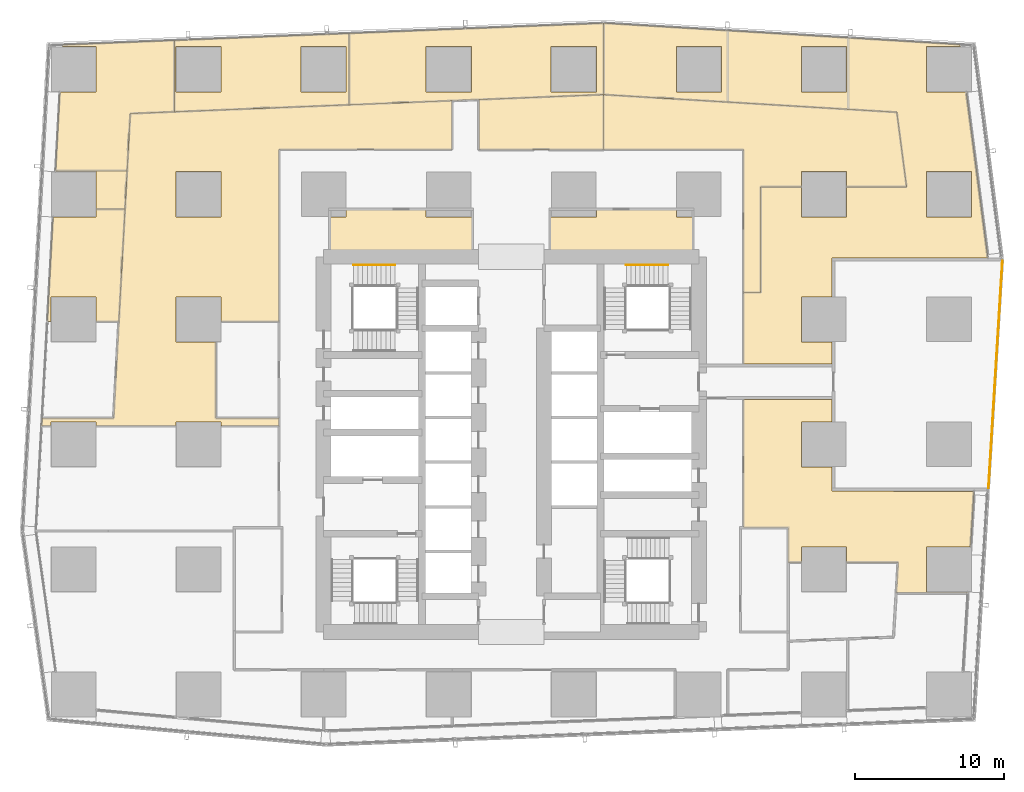
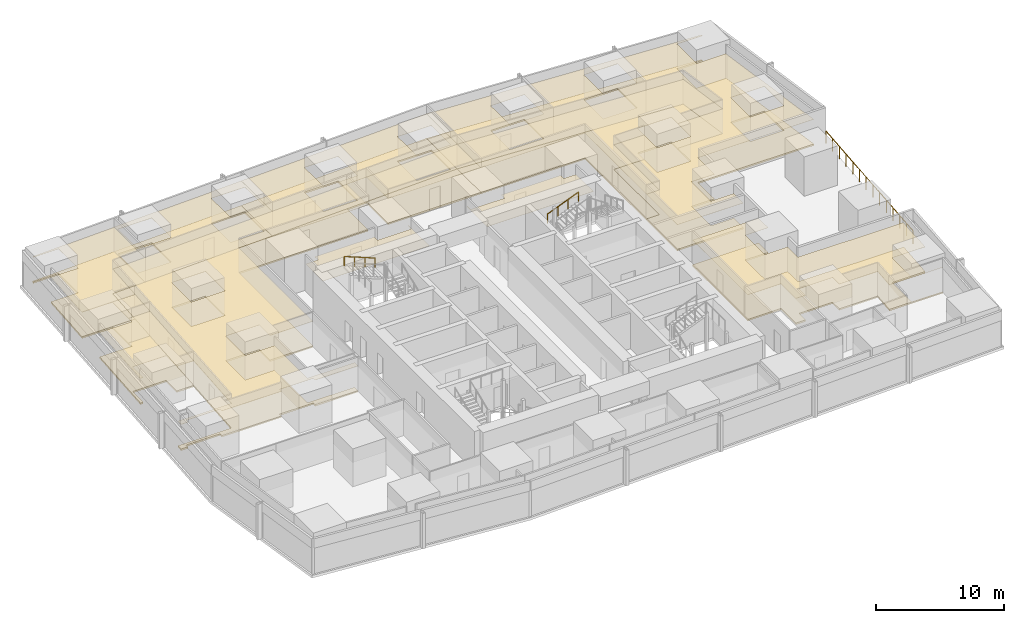
# One storey, part 38 of 38: 22 coverings, 3 railings.
"""IFC4 building model written with IfcOpenShell, lengths in metres."""

from ifc_helpers import new_model, si_unit, direction, frame, origin, origin_2d, place, context, subcontext, project, spatial, polyline, circle, outline, extrude, material, layer, layer_set, type_object, element, save


model = new_model("IFC4")

# Units and contexts
model_context = context("Model", 3, precision=1e-05, world=origin(), true_north=direction((0.0, 1.0)))
body_context = subcontext(model_context, "Body", "Model", "MODEL_VIEW")
ifc_project = project(units=[si_unit("LENGTHUNIT", "METRE"), si_unit("AREAUNIT", "SQUARE_METRE"), si_unit("VOLUMEUNIT", "CUBIC_METRE"), si_unit("PLANEANGLEUNIT", "RADIAN"), si_unit("MASSUNIT", "GRAM", prefix="KILO")], contexts=[model_context])

# Site, building, storey
site_placement = place(None, origin())
site = spatial("IfcSite", under=ifc_project, at=site_placement, CompositionType="ELEMENT")
building_placement = place(site_placement, origin())
building = spatial("IfcBuilding", under=site, at=building_placement, Name="Rekha Terrace Tower", CompositionType="ELEMENT")
storey_placement = place(building_placement, frame((0.0, 0.0, 159.050048828125)))
storey = spatial("IfcBuildingStorey", under=building, at=storey_placement, Name="L40", CompositionType="ELEMENT", Elevation=159.050048828125)

# Coverings
ifc_material_1 = material(Name="Mineral fibre tile in exposed grid", Category="finish")
ifc_layer_1 = layer(ifc_material_1, 0.02001953125)
ifc_layer_set_1 = layer_set([ifc_layer_1], Name="Mineral fibre tile in exposed grid")
covering_type_1 = type_object("IfcCoveringType", Name="CL1 600x1200 office grid ceiling", PredefinedType="CEILING", material=ifc_layer_set_1)
covering_1_placement = place(storey_placement, frame((0.0, 0.0, 2.47998046875)))
element("IfcCovering", 1, at=covering_1_placement, inside=storey, type_object=covering_type_1, Name="Ceiling L40-02", PredefinedType="CEILING", context=body_context, shape_type="SweptSolid", body=[
    extrude(outline(polyline([(60.43408203125, 60.9150390625), (52.34912109375, 61.40087890625), (44.00390625, 61.902099609375), (44.00390625, 57.093017578125), (52.35009765625, 56.592041015625), (60.43505859375, 56.10595703125), (63.700927734375, 55.909912109375), (64.35302734375, 50.904052734375), (60.31494140625, 50.904052734375), (60.31494140625, 48.885009765625), (57.284912109375, 48.885009765625), (57.284912109375, 50.904052734375), (54.549072265625, 50.904052734375), (54.549072265625, 43.801025390625), (53.39990234375, 43.801025390625), (53.39990234375, 39.0009765625), (59.34912109375, 39.0009765625), (59.34912109375, 40.485107421875), (57.284912109375, 40.485107421875), (57.284912109375, 43.514892578125), (59.34912109375, 43.514892578125), (59.34912109375, 46.10400390625), (69.819091796875, 46.10400390625), (68.363037109375, 57.284912109375), (65.68505859375, 57.284912109375), (65.68505859375, 60.31494140625), (67.968017578125, 60.31494140625), (67.948974609375, 60.462890625), (60.43408203125, 60.9150390625)]), holes=[polyline([(68.715087890625, 48.885009765625), (65.68505859375, 48.885009765625), (65.68505859375, 51.9150390625), (68.715087890625, 51.9150390625), (68.715087890625, 48.885009765625)]), polyline([(60.31494140625, 57.284912109375), (57.284912109375, 57.284912109375), (57.284912109375, 60.31494140625), (60.31494140625, 60.31494140625), (60.31494140625, 57.284912109375)]), polyline([(51.9150390625, 57.284912109375), (48.885009765625, 57.284912109375), (48.885009765625, 60.31494140625), (51.9150390625, 60.31494140625), (51.9150390625, 57.284912109375)])]), origin(), (0.0, 0.0, 1.0), 0.02001953125),
])
covering_2_placement = place(storey_placement, frame((0.0, 0.0, 2.47998046875)))
element("IfcCovering", 2, at=covering_2_placement, inside=storey, type_object=covering_type_1, Name="Ceiling L40-O1", PredefinedType="CEILING", context=body_context, shape_type="SweptSolid", body=[
    extrude(outline(polyline([(52.34912109375, 56.592041015625), (44.0029296875, 57.093017578125), (44.0029296875, 53.39990234375), (53.39990234375, 53.39990234375), (53.39990234375, 43.801025390625), (54.549072265625, 43.801025390625), (54.549072265625, 50.904052734375), (57.284912109375, 50.904052734375), (57.284912109375, 51.9150390625), (60.31494140625, 51.9150390625), (60.31494140625, 50.904052734375), (64.35302734375, 50.904052734375), (63.700927734375, 55.909912109375), (60.43408203125, 56.10595703125), (52.34912109375, 56.592041015625)])), origin(), (0.0, 0.0, 1.0), 0.02001953125),
])
covering_3_placement = place(storey_placement, frame((0.0, 0.0, 2.47998046875)))
element("IfcCovering", 3, at=covering_3_placement, inside=storey, type_object=covering_type_1, Name="Ceiling L40-03", PredefinedType="CEILING", context=body_context, shape_type="SweptSolid", body=[
    extrude(outline(polyline([(15.166015625, 60.742919921875), (15.166015625, 55.93896484375), (26.906005859375, 56.409912109375), (26.906005859375, 61.212890625), (15.166015625, 60.742919921875)]), holes=[polyline([(26.715087890625, 57.284912109375), (23.68505859375, 57.284912109375), (23.68505859375, 60.31494140625), (26.715087890625, 60.31494140625), (26.715087890625, 57.284912109375)]), polyline([(18.31494140625, 57.284912109375), (15.284912109375, 57.284912109375), (15.284912109375, 60.31494140625), (18.31494140625, 60.31494140625), (18.31494140625, 57.284912109375)])]), origin(), (0.0, 0.0, 1.0), 0.02001953125),
])
covering_4_placement = place(storey_placement, frame((0.0, 0.0, 2.47998046875)))
element("IfcCovering", 4, at=covering_4_placement, inside=storey, type_object=covering_type_1, Name="Ceiling L40-04", PredefinedType="CEILING", context=body_context, shape_type="SweptSolid", body=[
    extrude(outline(polyline([(12.20703125, 55.821044921875), (15.1650390625, 55.93896484375), (15.1650390625, 60.742919921875), (7.653076171875, 60.44189453125), (7.64599609375, 60.31494140625), (9.9150390625, 60.31494140625), (9.9150390625, 57.284912109375), (7.47998046875, 57.284912109375), (7.18798828125, 51.9580078125), (11.9951171875, 51.9580078125), (12.20703125, 55.821044921875)])), origin(), (0.0, 0.0, 1.0), 0.02001953125),
])
covering_5_placement = place(storey_placement, frame((0.0, 0.0, 2.47998046875)))
element("IfcCovering", 5, at=covering_5_placement, inside=storey, type_object=covering_type_1, Name="Ceiling L40-05", PredefinedType="CEILING", context=body_context, shape_type="SweptSolid", body=[
    extrude(outline(polyline([(9.9150390625, 49.39892578125), (11.85498046875, 49.39892578125), (11.9951171875, 51.95703125), (7.18798828125, 51.95703125), (7.18603515625, 51.9150390625), (9.9150390625, 51.9150390625), (9.9150390625, 49.39892578125)])), origin(), (0.0, 0.0, 1.0), 0.02001953125),
])
covering_6_placement = place(storey_placement, frame((0.0, 0.0, 2.47998046875)))
element("IfcCovering", 6, at=covering_6_placement, inside=storey, type_object=covering_type_1, Name="Ceiling L40-06", PredefinedType="CEILING", context=body_context, shape_type="SweptSolid", body=[
    extrude(outline(polyline([(9.9150390625, 41.85498046875), (11.44091796875, 41.85498046875), (11.85498046875, 49.39794921875), (9.9150390625, 49.39794921875), (9.9150390625, 48.885009765625), (7.01904296875, 48.885009765625), (6.634033203125, 41.85498046875), (6.885009765625, 41.85498046875), (6.885009765625, 43.514892578125), (9.9150390625, 43.514892578125), (9.9150390625, 41.85498046875)])), origin(), (0.0, 0.0, 1.0), 0.02001953125),
])
covering_7_placement = place(storey_placement, frame((0.0, 0.0, 2.47998046875)))
element("IfcCovering", 7, at=covering_7_placement, inside=storey, type_object=covering_type_1, Name="Ceiling L40-O2", PredefinedType="CEILING", context=body_context, shape_type="SweptSolid", body=[
    extrude(outline(polyline([(11.85498046875, 49.39794921875), (11.44091796875, 41.85400390625), (11.0849609375, 35.360107421875), (6.278076171875, 35.360107421875), (6.2490234375, 34.833984375), (6.885009765625, 34.833984375), (6.885009765625, 35.114990234375), (9.9150390625, 35.114990234375), (9.9150390625, 34.833984375), (15.284912109375, 34.833984375), (15.284912109375, 35.114990234375), (18.31494140625, 35.114990234375), (18.31494140625, 34.833984375), (22.199951171875, 34.833984375), (22.199951171875, 35.360107421875), (17.949951171875, 35.360107421875), (17.949951171875, 40.485107421875), (15.284912109375, 40.485107421875), (15.284912109375, 43.514892578125), (18.31494140625, 43.514892578125), (18.31494140625, 41.85498046875), (22.199951171875, 41.85498046875), (22.199951171875, 53.39990234375), (33.825927734375, 53.39990234375), (33.825927734375, 56.68701171875), (26.89111328125, 56.408935546875), (15.14990234375, 55.93798828125), (12.20703125, 55.821044921875), (11.9951171875, 51.95703125), (11.85498046875, 49.39794921875)]), holes=[polyline([(18.31494140625, 48.885009765625), (15.284912109375, 48.885009765625), (15.284912109375, 51.9150390625), (18.31494140625, 51.9150390625), (18.31494140625, 48.885009765625)])]), origin(), (0.0, 0.0, 1.0), 0.02001953125),
])
covering_8_placement = place(storey_placement, frame((0.0, 0.0, 2.47998046875)))
element("IfcCovering", 8, at=covering_8_placement, inside=storey, type_object=covering_type_1, Name="Ceiling L40-13", PredefinedType="CEILING", context=body_context, shape_type="SweptSolid", body=[
    extrude(outline(polyline([(63.783935546875, 25.677001953125), (63.658935546875, 23.64208984375), (68.468017578125, 23.64208984375), (68.470947265625, 23.68505859375), (65.68505859375, 23.68505859375), (65.68505859375, 26.715087890625), (68.656005859375, 26.715087890625), (68.885009765625, 30.445068359375), (63.48388671875, 30.445068359375), (63.48388671875, 30.47705078125), (59.34912109375, 30.47705078125), (59.34912109375, 32.0849609375), (57.284912109375, 32.0849609375), (57.284912109375, 35.114990234375), (59.34912109375, 35.114990234375), (59.34912109375, 36.59912109375), (53.39990234375, 36.59912109375), (53.39990234375, 28.0), (56.39990234375, 28.0), (56.39990234375, 25.677001953125), (57.284912109375, 25.677001953125), (57.284912109375, 26.715087890625), (60.31494140625, 26.715087890625), (60.31494140625, 25.677001953125), (63.783935546875, 25.677001953125)])), origin(), (0.0, 0.0, 1.0), 0.02001953125),
])
covering_9_placement = place(storey_placement, frame((0.0, 0.0, 2.47998046875)))
element("IfcCovering", 9, at=covering_9_placement, inside=storey, type_object=covering_type_1, Name="Ceiling L40-18", PredefinedType="CEILING", context=body_context, shape_type="SweptSolid", body=[
    extrude(outline(polyline([(26.906982421875, 56.409912109375), (33.825927734375, 56.68701171875), (34.2041015625, 56.701904296875), (34.72607421875, 56.722900390625), (35.6259765625, 56.759033203125), (44.0029296875, 57.094970703125), (44.0029296875, 61.89892578125), (34.72607421875, 61.527099609375), (26.906982421875, 61.214111328125), (26.906982421875, 56.409912109375)]), holes=[polyline([(43.514892578125, 57.284912109375), (40.485107421875, 57.284912109375), (40.485107421875, 60.31494140625), (43.514892578125, 60.31494140625), (43.514892578125, 57.284912109375)]), polyline([(35.114990234375, 57.284912109375), (32.0849609375, 57.284912109375), (32.0849609375, 60.31494140625), (35.114990234375, 60.31494140625), (35.114990234375, 57.284912109375)])]), origin(), (0.0, 0.0, 1.0), 0.02001953125),
])
covering_10_placement = place(storey_placement, frame((0.0, 0.0, 2.47998046875)))
element("IfcCovering", 10, at=covering_10_placement, inside=storey, type_object=covering_type_1, Name="Ceiling L40-19", PredefinedType="CEILING", context=body_context, shape_type="SweptSolid", body=[
    extrude(outline(polyline([(35.6259765625, 53.39990234375), (44.0029296875, 53.39990234375), (44.0029296875, 57.094970703125), (35.6259765625, 56.759033203125), (35.6259765625, 53.39990234375)])), origin(), (0.0, 0.0, 1.0), 0.02001953125),
])
ifc_material_2 = material(Name="Fibre cement board", Category="finish")
ifc_layer_2 = layer(ifc_material_2, 0.014892578125)
ifc_layer_set_2 = layer_set([ifc_layer_2], Name="Fibre cement board")
covering_type_2 = type_object("IfcCoveringType", Name="CL2 moisture-resistant board ceiling", PredefinedType="CEILING", material=ifc_layer_set_2)
covering_11_placement = place(storey_placement, frame((0.0, 0.0, 2.48486328125)))
element("IfcCovering", 11, at=covering_11_placement, inside=storey, type_object=covering_type_2, Name="Ceiling L40-WCF", PredefinedType="CEILING", context=body_context, shape_type="SweptSolid", body=[
    extrude(outline(polyline([(40.485107421875, 49.39990234375), (40.39990234375, 49.39990234375), (40.39990234375, 46.199951171875), (50.0, 46.199951171875), (50.0, 48.885009765625), (48.885009765625, 48.885009765625), (48.885009765625, 49.39990234375), (43.514892578125, 49.39990234375), (43.514892578125, 48.885009765625), (40.485107421875, 48.885009765625), (40.485107421875, 49.39990234375)])), origin(), (0.0, 0.0, 1.0), 0.01513671875),
])
covering_12_placement = place(storey_placement, frame((0.0, 0.0, 2.48486328125)))
element("IfcCovering", 12, at=covering_12_placement, inside=storey, type_object=covering_type_2, Name="Ceiling L40-WCF2", PredefinedType="CEILING", context=body_context, shape_type="SweptSolid", body=[
    extrude(outline(polyline([(26.715087890625, 48.885009765625), (25.60009765625, 48.885009765625), (25.60009765625, 46.199951171875), (35.199951171875, 46.199951171875), (35.199951171875, 49.39990234375), (35.114990234375, 49.39990234375), (35.114990234375, 48.885009765625), (32.0849609375, 48.885009765625), (32.0849609375, 49.39990234375), (26.715087890625, 49.39990234375), (26.715087890625, 48.885009765625)])), origin(), (0.0, 0.0, 1.0), 0.01513671875),
])

# Railings
ifc_material_3 = material(Name="Steel guard with vertical balusters", Category="steel")
railing_type_1 = type_object("IfcRailingType", Name="GR2 refuge area guard 1200", PredefinedType="GUARDRAIL", material=ifc_material_3)
railing_1_placement = place(storey_placement, frame((69.860107421875, 30.677978515625, 0.0)))
element("IfcRailing", 13, at=railing_1_placement, inside=storey, type_object=railing_type_1, Name="Refuge area guard L40", PredefinedType="GUARDRAIL", context=body_context, shape_type="SweptSolid", body=[
    extrude(circle(Radius=0.02392578125, at=origin_2d()), frame((0.0, 0.0, 1.17578125), z_axis=(0.061156598389, 0.998128183388, 0.0), x_axis=(-0.998128183388, 0.061156598389, 0.0)), (0.0, 0.0, 1.0), 15.253662109375),
    extrude(circle(Radius=0.02099609375, at=origin_2d()), origin(), (0.0, 0.0, 1.0), 1.15185546875),
    extrude(circle(Radius=0.02099609375, at=origin_2d()), frame((0.07177734375, 1.171142578125, 0.0)), (0.0, 0.0, 1.0), 1.15185546875),
    extrude(circle(Radius=0.02099609375, at=origin_2d()), frame((0.1435546875, 2.34228515625, 0.0)), (0.0, 0.0, 1.0), 1.15185546875),
    extrude(circle(Radius=0.02099609375, at=origin_2d()), frame((0.21533203125, 3.513427734375, 0.0)), (0.0, 0.0, 1.0), 1.15185546875),
    extrude(circle(Radius=0.02099609375, at=origin_2d()), frame((0.287109375, 4.6845703125, 0.0)), (0.0, 0.0, 1.0), 1.15185546875),
    extrude(circle(Radius=0.02099609375, at=origin_2d()), frame((0.35888671875, 5.855712890625, 0.0)), (0.0, 0.0, 1.0), 1.15185546875),
    extrude(circle(Radius=0.02099609375, at=origin_2d()), frame((0.4306640625, 7.02685546875, 0.0)), (0.0, 0.0, 1.0), 1.15185546875),
    extrude(circle(Radius=0.02099609375, at=origin_2d()), frame((0.502197265625, 8.1982421875, 0.0)), (0.0, 0.0, 1.0), 1.15185546875),
    extrude(circle(Radius=0.02099609375, at=origin_2d()), frame((0.573974609375, 9.369384765625, 0.0)), (0.0, 0.0, 1.0), 1.15185546875),
    extrude(circle(Radius=0.02099609375, at=origin_2d()), frame((0.645751953125, 10.54052734375, 0.0)), (0.0, 0.0, 1.0), 1.15185546875),
    extrude(circle(Radius=0.02099609375, at=origin_2d()), frame((0.717529296875, 11.711669921875, 0.0)), (0.0, 0.0, 1.0), 1.15185546875),
    extrude(circle(Radius=0.02099609375, at=origin_2d()), frame((0.789306640625, 12.8828125, 0.0)), (0.0, 0.0, 1.0), 1.15185546875),
    extrude(circle(Radius=0.02099609375, at=origin_2d()), frame((0.861083984375, 14.053955078125, 0.0)), (0.0, 0.0, 1.0), 1.15185546875),
    extrude(circle(Radius=0.02099609375, at=origin_2d()), frame((0.932861328125, 15.22509765625, 0.0)), (0.0, 0.0, 1.0), 1.15185546875),
])
ifc_material_4 = material(Name="Stainless steel tube", Category="steel")
railing_type_2 = type_object("IfcRailingType", Name="HR1 900 stair handrail", PredefinedType="HANDRAIL", material=ifc_material_4)
railing_2_placement = place(storey_placement, frame((45.52490234375, 45.639892578125, 1.375)))
element("IfcRailing", 14, at=railing_2_placement, inside=storey, type_object=railing_type_2, Name="Handrail ST2 L40 flight 2", PredefinedType="HANDRAIL", context=body_context, shape_type="SweptSolid", body=[
    extrude(circle(Radius=0.02392578125, at=origin_2d()), frame((0.0, 0.0, 0.8759765625), z_axis=(0.927443287984, 0.0, 0.373963831907), x_axis=(0.0, 1.0, 0.0)), (0.0, 0.0, 1.0), 3.00830078125),
    extrude(circle(Radius=0.02099609375, at=origin_2d()), origin(), (0.0, 0.0, 1.0), 0.851806640625),
    extrude(circle(Radius=0.02099609375, at=origin_2d()), frame((0.929931640625, 0.0, 0.375)), (0.0, 0.0, 1.0), 0.851806640625),
    extrude(circle(Radius=0.02099609375, at=origin_2d()), frame((1.860107421875, 0.0, 0.75)), (0.0, 0.0, 1.0), 0.851806640625),
    extrude(circle(Radius=0.02099609375, at=origin_2d()), frame((2.7900390625, 0.0, 1.125)), (0.0, 0.0, 1.0), 0.851806640625),
])
railing_3_placement = place(storey_placement, frame((29.989990234375, 45.639892578125, 2.625)))
element("IfcRailing", 15, at=railing_3_placement, inside=storey, type_object=railing_type_2, Name="Handrail ST4 L40 flight 3", PredefinedType="HANDRAIL", context=body_context, shape_type="SweptSolid", body=[
    extrude(circle(Radius=0.02392578125, at=origin_2d()), frame((0.0, 0.0, 0.8759765625), z_axis=(-0.927443287984, 0.0, 0.373963831907), x_axis=(0.0, -1.0, 0.0)), (0.0, 0.0, 1.0), 3.00830078125),
    extrude(circle(Radius=0.02099609375, at=origin_2d()), origin(), (0.0, 0.0, 1.0), 0.851806640625),
    extrude(circle(Radius=0.02099609375, at=origin_2d()), frame((-0.929931640625, 0.0, 0.375)), (0.0, 0.0, 1.0), 0.851806640625),
    extrude(circle(Radius=0.02099609375, at=origin_2d()), frame((-1.860107421875, 0.0, 0.75)), (0.0, 0.0, 1.0), 0.851806640625),
    extrude(circle(Radius=0.02099609375, at=origin_2d()), frame((-2.7900390625, 0.0, 1.125)), (0.0, 0.0, 1.0), 0.851806640625),
])

# Coverings
ifc_material_5 = material(Name="Calcium sulphate panels on steel pedestals", Category="steel")
ifc_layer_3 = layer(ifc_material_5, 0.14990234375)
ifc_layer_set_3 = layer_set([ifc_layer_3], Name="Calcium sulphate panels on steel pedestals")
covering_type_3 = type_object("IfcCoveringType", Name="RF1 150 raised access floor", PredefinedType="FLOORING", material=ifc_layer_set_3)
covering_13_placement = place(storey_placement, origin())
element("IfcCovering", 16, at=covering_13_placement, inside=storey, type_object=covering_type_3, Name="Raised floor L40-02", PredefinedType="FLOORING", context=body_context, shape_type="SweptSolid", body=[
    extrude(outline(polyline([(60.43408203125, 60.9150390625), (52.34912109375, 61.40087890625), (44.00390625, 61.902099609375), (44.00390625, 57.093017578125), (52.35009765625, 56.592041015625), (60.43505859375, 56.10595703125), (63.700927734375, 55.909912109375), (64.35302734375, 50.904052734375), (60.31494140625, 50.904052734375), (60.31494140625, 48.885009765625), (57.284912109375, 48.885009765625), (57.284912109375, 50.904052734375), (54.549072265625, 50.904052734375), (54.549072265625, 43.801025390625), (53.39990234375, 43.801025390625), (53.39990234375, 39.0009765625), (59.34912109375, 39.0009765625), (59.34912109375, 40.485107421875), (57.284912109375, 40.485107421875), (57.284912109375, 43.514892578125), (59.34912109375, 43.514892578125), (59.34912109375, 46.10400390625), (69.819091796875, 46.10400390625), (68.363037109375, 57.284912109375), (65.68505859375, 57.284912109375), (65.68505859375, 60.31494140625), (67.968017578125, 60.31494140625), (67.948974609375, 60.462890625), (60.43408203125, 60.9150390625)]), holes=[polyline([(68.715087890625, 48.885009765625), (65.68505859375, 48.885009765625), (65.68505859375, 51.9150390625), (68.715087890625, 51.9150390625), (68.715087890625, 48.885009765625)]), polyline([(60.31494140625, 57.284912109375), (57.284912109375, 57.284912109375), (57.284912109375, 60.31494140625), (60.31494140625, 60.31494140625), (60.31494140625, 57.284912109375)]), polyline([(51.9150390625, 57.284912109375), (48.885009765625, 57.284912109375), (48.885009765625, 60.31494140625), (51.9150390625, 60.31494140625), (51.9150390625, 57.284912109375)])]), origin(), (0.0, 0.0, 1.0), 0.14990234375),
])
covering_14_placement = place(storey_placement, origin())
element("IfcCovering", 17, at=covering_14_placement, inside=storey, type_object=covering_type_3, Name="Raised floor L40-O1", PredefinedType="FLOORING", context=body_context, shape_type="SweptSolid", body=[
    extrude(outline(polyline([(52.34912109375, 56.592041015625), (44.0029296875, 57.093017578125), (44.0029296875, 53.39990234375), (53.39990234375, 53.39990234375), (53.39990234375, 43.801025390625), (54.549072265625, 43.801025390625), (54.549072265625, 50.904052734375), (57.284912109375, 50.904052734375), (57.284912109375, 51.9150390625), (60.31494140625, 51.9150390625), (60.31494140625, 50.904052734375), (64.35302734375, 50.904052734375), (63.700927734375, 55.909912109375), (60.43408203125, 56.10595703125), (52.34912109375, 56.592041015625)])), origin(), (0.0, 0.0, 1.0), 0.14990234375),
])
covering_15_placement = place(storey_placement, origin())
element("IfcCovering", 18, at=covering_15_placement, inside=storey, type_object=covering_type_3, Name="Raised floor L40-03", PredefinedType="FLOORING", context=body_context, shape_type="SweptSolid", body=[
    extrude(outline(polyline([(15.166015625, 60.742919921875), (15.166015625, 55.93896484375), (26.906005859375, 56.409912109375), (26.906005859375, 61.212890625), (15.166015625, 60.742919921875)]), holes=[polyline([(26.715087890625, 57.284912109375), (23.68505859375, 57.284912109375), (23.68505859375, 60.31494140625), (26.715087890625, 60.31494140625), (26.715087890625, 57.284912109375)]), polyline([(18.31494140625, 57.284912109375), (15.284912109375, 57.284912109375), (15.284912109375, 60.31494140625), (18.31494140625, 60.31494140625), (18.31494140625, 57.284912109375)])]), origin(), (0.0, 0.0, 1.0), 0.14990234375),
])
covering_16_placement = place(storey_placement, origin())
element("IfcCovering", 19, at=covering_16_placement, inside=storey, type_object=covering_type_3, Name="Raised floor L40-04", PredefinedType="FLOORING", context=body_context, shape_type="SweptSolid", body=[
    extrude(outline(polyline([(12.20703125, 55.821044921875), (15.1650390625, 55.93896484375), (15.1650390625, 60.742919921875), (7.653076171875, 60.44189453125), (7.64599609375, 60.31494140625), (9.9150390625, 60.31494140625), (9.9150390625, 57.284912109375), (7.47998046875, 57.284912109375), (7.18798828125, 51.9580078125), (11.9951171875, 51.9580078125), (12.20703125, 55.821044921875)])), origin(), (0.0, 0.0, 1.0), 0.14990234375),
])
covering_17_placement = place(storey_placement, origin())
element("IfcCovering", 20, at=covering_17_placement, inside=storey, type_object=covering_type_3, Name="Raised floor L40-05", PredefinedType="FLOORING", context=body_context, shape_type="SweptSolid", body=[
    extrude(outline(polyline([(9.9150390625, 49.39892578125), (11.85498046875, 49.39892578125), (11.9951171875, 51.95703125), (7.18798828125, 51.95703125), (7.18603515625, 51.9150390625), (9.9150390625, 51.9150390625), (9.9150390625, 49.39892578125)])), origin(), (0.0, 0.0, 1.0), 0.14990234375),
])
covering_18_placement = place(storey_placement, origin())
element("IfcCovering", 21, at=covering_18_placement, inside=storey, type_object=covering_type_3, Name="Raised floor L40-06", PredefinedType="FLOORING", context=body_context, shape_type="SweptSolid", body=[
    extrude(outline(polyline([(9.9150390625, 41.85498046875), (11.44091796875, 41.85498046875), (11.85498046875, 49.39794921875), (9.9150390625, 49.39794921875), (9.9150390625, 48.885009765625), (7.01904296875, 48.885009765625), (6.634033203125, 41.85498046875), (6.885009765625, 41.85498046875), (6.885009765625, 43.514892578125), (9.9150390625, 43.514892578125), (9.9150390625, 41.85498046875)])), origin(), (0.0, 0.0, 1.0), 0.14990234375),
])
covering_19_placement = place(storey_placement, origin())
element("IfcCovering", 22, at=covering_19_placement, inside=storey, type_object=covering_type_3, Name="Raised floor L40-O2", PredefinedType="FLOORING", context=body_context, shape_type="SweptSolid", body=[
    extrude(outline(polyline([(11.85498046875, 49.39794921875), (11.44091796875, 41.85400390625), (11.0849609375, 35.360107421875), (6.278076171875, 35.360107421875), (6.2490234375, 34.833984375), (6.885009765625, 34.833984375), (6.885009765625, 35.114990234375), (9.9150390625, 35.114990234375), (9.9150390625, 34.833984375), (15.284912109375, 34.833984375), (15.284912109375, 35.114990234375), (18.31494140625, 35.114990234375), (18.31494140625, 34.833984375), (22.199951171875, 34.833984375), (22.199951171875, 35.360107421875), (17.949951171875, 35.360107421875), (17.949951171875, 40.485107421875), (15.284912109375, 40.485107421875), (15.284912109375, 43.514892578125), (18.31494140625, 43.514892578125), (18.31494140625, 41.85498046875), (22.199951171875, 41.85498046875), (22.199951171875, 53.39990234375), (33.825927734375, 53.39990234375), (33.825927734375, 56.68701171875), (26.89111328125, 56.408935546875), (15.14990234375, 55.93798828125), (12.20703125, 55.821044921875), (11.9951171875, 51.95703125), (11.85498046875, 49.39794921875)]), holes=[polyline([(18.31494140625, 48.885009765625), (15.284912109375, 48.885009765625), (15.284912109375, 51.9150390625), (18.31494140625, 51.9150390625), (18.31494140625, 48.885009765625)])]), origin(), (0.0, 0.0, 1.0), 0.14990234375),
])
covering_20_placement = place(storey_placement, origin())
element("IfcCovering", 23, at=covering_20_placement, inside=storey, type_object=covering_type_3, Name="Raised floor L40-13", PredefinedType="FLOORING", context=body_context, shape_type="SweptSolid", body=[
    extrude(outline(polyline([(63.783935546875, 25.677001953125), (63.658935546875, 23.64208984375), (68.468017578125, 23.64208984375), (68.470947265625, 23.68505859375), (65.68505859375, 23.68505859375), (65.68505859375, 26.715087890625), (68.656005859375, 26.715087890625), (68.885009765625, 30.445068359375), (63.48388671875, 30.445068359375), (63.48388671875, 30.47705078125), (59.34912109375, 30.47705078125), (59.34912109375, 32.0849609375), (57.284912109375, 32.0849609375), (57.284912109375, 35.114990234375), (59.34912109375, 35.114990234375), (59.34912109375, 36.59912109375), (53.39990234375, 36.59912109375), (53.39990234375, 28.0), (56.39990234375, 28.0), (56.39990234375, 25.677001953125), (57.284912109375, 25.677001953125), (57.284912109375, 26.715087890625), (60.31494140625, 26.715087890625), (60.31494140625, 25.677001953125), (63.783935546875, 25.677001953125)])), origin(), (0.0, 0.0, 1.0), 0.14990234375),
])
covering_21_placement = place(storey_placement, origin())
element("IfcCovering", 24, at=covering_21_placement, inside=storey, type_object=covering_type_3, Name="Raised floor L40-18", PredefinedType="FLOORING", context=body_context, shape_type="SweptSolid", body=[
    extrude(outline(polyline([(26.906982421875, 56.409912109375), (33.825927734375, 56.68701171875), (34.2041015625, 56.701904296875), (34.72607421875, 56.722900390625), (35.6259765625, 56.759033203125), (44.0029296875, 57.094970703125), (44.0029296875, 61.89892578125), (34.72607421875, 61.527099609375), (26.906982421875, 61.214111328125), (26.906982421875, 56.409912109375)]), holes=[polyline([(43.514892578125, 57.284912109375), (40.485107421875, 57.284912109375), (40.485107421875, 60.31494140625), (43.514892578125, 60.31494140625), (43.514892578125, 57.284912109375)]), polyline([(35.114990234375, 57.284912109375), (32.0849609375, 57.284912109375), (32.0849609375, 60.31494140625), (35.114990234375, 60.31494140625), (35.114990234375, 57.284912109375)])]), origin(), (0.0, 0.0, 1.0), 0.14990234375),
])
covering_22_placement = place(storey_placement, origin())
element("IfcCovering", 25, at=covering_22_placement, inside=storey, type_object=covering_type_3, Name="Raised floor L40-19", PredefinedType="FLOORING", context=body_context, shape_type="SweptSolid", body=[
    extrude(outline(polyline([(35.6259765625, 53.39990234375), (44.0029296875, 53.39990234375), (44.0029296875, 57.094970703125), (35.6259765625, 56.759033203125), (35.6259765625, 53.39990234375)])), origin(), (0.0, 0.0, 1.0), 0.14990234375),
])

save(model, "model.ifc")
